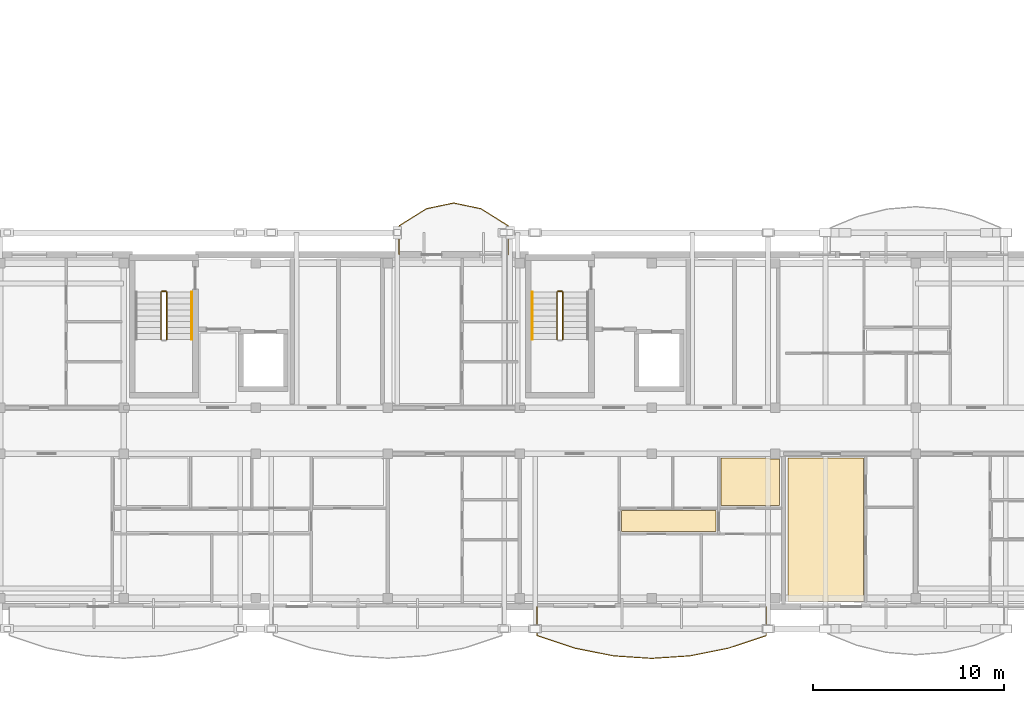
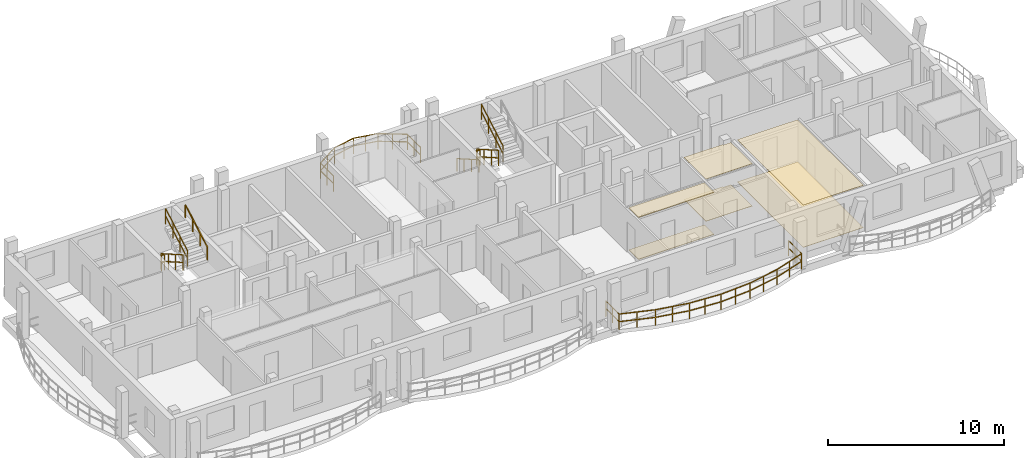
# One storey, part 36 of 44: 10 railings, 6 coverings.
"""IFC4 building model written with IfcOpenShell, lengths in metres."""

import ifcopenshell
import ifcopenshell.guid

model = None  # the IFC model being written
_history = None  # IfcOwnerHistory: only IFC2X3 demands one
_inside = {}  # id of a spatial element -> (the spatial element, [elements in it])
_under = {}  # id of a project, library or spatial element -> (it, [spatial elements below it])
_declared = {}  # id of a project -> (the project, [libraries it declares])
_typed = {}  # id of a type object -> (the type object, [elements of that type])
_made_of = {}  # id of a material, layer set ... -> (it, [elements and type objects made of it])


def new_model(schema):
    """Start an empty IFC model of exactly this schema.

    Asked for "IFC4X3", IfcOpenShell would pick the latest addendum, in which some entities
    have other attributes; the version numbers below select the first issue.
    IFC2X3 requires an IfcOwnerHistory on every rooted entity: one is made here for all.
    """
    global model, _history
    if schema == "IFC4X3":
        model = ifcopenshell.file(schema_version=(4, 3, 0, 0))
    else:
        model = ifcopenshell.file(schema=schema)
    _inside.clear()
    _under.clear()
    _declared.clear()
    _typed.clear()
    _made_of.clear()
    _history = None
    if model.schema == "IFC2X3":
        org = make("IfcOrganization", Name="unknown")
        user = make(
            "IfcPersonAndOrganization",
            ThePerson=make("IfcPerson", FamilyName="unknown"),
            TheOrganization=org,
        )
        app = make(
            "IfcApplication",
            ApplicationDeveloper=org,
            Version="unknown",
            ApplicationFullName="unknown",
            ApplicationIdentifier="unknown",
        )
        _history = make(
            "IfcOwnerHistory",
            OwningUser=user,
            OwningApplication=app,
            ChangeAction="ADDED",
            CreationDate=0,
        )
    return model


def make(cls, **values):
    """One entity of the class cls with the attributes given. An attribute that is None is left unset."""
    return model.create_entity(
        cls, **{name: value for name, value in values.items() if value is not None}
    )


def rooted(cls, **values):
    """An entity with a GlobalId (a new one), such as an element, a storey or a relation."""
    return make(cls, GlobalId=ifcopenshell.guid.new(), OwnerHistory=_history, **values)


def si_unit(unit_type, name, prefix=None):
    """IfcSIUnit, for example si_unit("LENGTHUNIT", "METRE", prefix="MILLI")."""
    return make("IfcSIUnit", UnitType=unit_type, Prefix=prefix, Name=name)


def assignment(units):
    """IfcUnitAssignment: the units of a project."""
    return None if units is None else make("IfcUnitAssignment", Units=units)


def point(xyz):
    """IfcCartesianPoint."""
    return None if xyz is None else make("IfcCartesianPoint", Coordinates=xyz)


def direction(xyz):
    """IfcDirection."""
    return None if xyz is None else make("IfcDirection", DirectionRatios=xyz)


def frame(location, z_axis=None, x_axis=None):
    """IfcAxis2Placement3D, a coordinate frame: its origin and axes. An axis left out is left unset."""
    return make(
        "IfcAxis2Placement3D",
        Location=point(location),
        Axis=direction(z_axis),
        RefDirection=direction(x_axis),
    )


def frame_2d(location, x_axis=None):
    """IfcAxis2Placement2D, a coordinate frame in the plane: its origin and x axis."""
    return make(
        "IfcAxis2Placement2D", Location=point(location), RefDirection=direction(x_axis)
    )


def origin():
    """The frame at (0, 0, 0) with its axes left unset."""
    return frame((0.0, 0.0, 0.0))


def origin_2d():
    """The frame at (0, 0) in the plane with its x axis left unset."""
    return frame_2d((0.0, 0.0))


def place(relative_to, where):
    """IfcLocalPlacement: puts the frame where relative to a parent placement (None: the world)."""
    return make(
        "IfcLocalPlacement", PlacementRelTo=relative_to, RelativePlacement=where
    )


def context(
    kind, dimensions, precision=None, world=None, true_north=None, identifier=None
):
    """IfcGeometricRepresentationContext, for example the 3D "Model" context."""
    return make(
        "IfcGeometricRepresentationContext",
        ContextIdentifier=identifier,
        ContextType=kind,
        CoordinateSpaceDimension=dimensions,
        Precision=precision,
        WorldCoordinateSystem=world,
        TrueNorth=true_north,
    )


def subcontext(parent, identifier, kind, view, scale=None):
    """IfcGeometricRepresentationSubContext, for example "Body" below "Model"."""
    return make(
        "IfcGeometricRepresentationSubContext",
        ContextIdentifier=identifier,
        ContextType=kind,
        ParentContext=parent,
        TargetScale=scale,
        TargetView=view,
    )


def project(units=None, contexts=None):
    """IfcProject with its units and contexts."""
    return rooted(
        "IfcProject",
        Name="project",
        RepresentationContexts=contexts,
        UnitsInContext=assignment(units),
    )


def spatial(cls, under=None, at=None, **own):
    """A site, building, storey or space (cls), placed at a placement, below another one or the project."""
    s = rooted(cls, ObjectPlacement=at, **own)
    if under is not None:
        _under.setdefault(under.id(), (under, []))[1].append(s)
    return s


def polyline(points):
    """IfcPolyline through the points."""
    return make("IfcPolyline", Points=[point(p) for p in points])


def profile(cls, at=None, kind="AREA", **sizes):
    """A parametric profile (cls). Its sizes go by their IFC names, for example OverallWidth=200.0."""
    return make(cls, ProfileType=kind, Position=at, **sizes)


def rectangle(**sizes):
    """IfcRectangleProfileDef."""
    return profile("IfcRectangleProfileDef", **sizes)


def outline(outer, holes=None, kind="AREA"):
    """IfcArbitraryClosedProfileDef: a profile drawn as a closed curve; with holes, ...WithVoids."""
    if holes is None:
        return make("IfcArbitraryClosedProfileDef", ProfileType=kind, OuterCurve=outer)
    return make(
        "IfcArbitraryProfileDefWithVoids",
        ProfileType=kind,
        OuterCurve=outer,
        InnerCurves=holes,
    )


def extrude(swept, where, along, depth):
    """IfcExtrudedAreaSolid: the profile swept, set in the frame where, extruded along a direction by depth."""
    return make(
        "IfcExtrudedAreaSolid",
        SweptArea=swept,
        Position=where,
        ExtrudedDirection=direction(along),
        Depth=depth,
    )


def shape(context_of_items, identifier, shape_type, items):
    """IfcShapeRepresentation: the items that make up one representation, for example the "Body"."""
    return make(
        "IfcShapeRepresentation",
        ContextOfItems=context_of_items,
        RepresentationIdentifier=identifier,
        RepresentationType=shape_type,
        Items=items,
    )


def material(Name=None, Category=None):
    """IfcMaterial."""
    return make("IfcMaterial", Name=Name, Category=Category)


def layer(
    of_material, thickness, ventilated=None, Name=None, Category=None, Priority=None
):
    """IfcMaterialLayer: one layer of a wall or slab, of a material (None: an air gap)."""
    return make(
        "IfcMaterialLayer",
        Material=of_material,
        LayerThickness=thickness,
        IsVentilated=ventilated,
        Name=Name,
        Category=Category,
        Priority=Priority,
    )


def layer_set(layers, Name=None):
    """IfcMaterialLayerSet."""
    return make("IfcMaterialLayerSet", MaterialLayers=layers, LayerSetName=Name)


def made_of(thing, what):
    """Note that an element or type object is made of a material, layer set ...; save() writes the relation."""
    if what is not None:
        _made_of.setdefault(what.id(), (what, []))[1].append(thing)
    return thing


def type_object(cls, material=None, **own):
    """A type object (cls), such as IfcWallType, which elements share."""
    return made_of(rooted(cls, **own), material)


def element(
    cls,
    number,
    at=None,
    inside=None,
    cuts=None,
    type_object=None,
    material=None,
    context=None,
    identifier="Body",
    shape_type=None,
    held_by="IfcProductDefinitionShape",
    body=None,
    shapes=None,
    **own,
):
    """One element of the class cls, such as IfcWall. Its Tag is "e" and its number.

    at: its placement. inside: the storey or other place that contains it. cuts: it is an
    opening in that element (IfcRelVoidsElement). A single representation is given by context,
    identifier, shape_type and body (its items); several are given by shapes. held_by: the class
    of the entity that holds the representations. save() writes the other relations.
    """
    e = rooted(cls, Tag="e%d" % number, ObjectPlacement=at, **own)
    if body is not None:
        shapes = [shape(context, identifier, shape_type, body)]
    if shapes is not None:
        e.Representation = make(held_by, Representations=shapes)
    if inside is not None:
        _inside.setdefault(inside.id(), (inside, []))[1].append(e)
    if cuts is not None:
        rooted(
            "IfcRelVoidsElement", RelatingBuildingElement=cuts, RelatedOpeningElement=e
        )
    if type_object is not None:
        _typed.setdefault(type_object.id(), (type_object, []))[1].append(e)
    return made_of(e, material)


def aggregate(whole, parts):
    """IfcRelAggregates: a whole, such as a stair, and the parts it consists of."""
    return rooted("IfcRelAggregates", RelatingObject=whole, RelatedObjects=parts)


def save(model, path):
    """Write the relations noted so far, then the file.

    IfcRelAggregates (storeys below a building ...), IfcRelContainedInSpatialStructure (elements
    in a storey), IfcRelDefinesByType, IfcRelAssociatesMaterial and IfcRelDeclares: one each for
    every whole, place, type object, material and project.
    """
    for whole, parts in _under.values():
        aggregate(whole, parts)
    for where, things in _inside.values():
        rooted(
            "IfcRelContainedInSpatialStructure",
            RelatedElements=things,
            RelatingStructure=where,
        )
    for kind, things in _typed.values():
        rooted("IfcRelDefinesByType", RelatedObjects=things, RelatingType=kind)
    for what, things in _made_of.values():
        rooted("IfcRelAssociatesMaterial", RelatedObjects=things, RelatingMaterial=what)
    for by, libraries in _declared.values():
        rooted("IfcRelDeclares", RelatingContext=by, RelatedDefinitions=libraries)
    model.write(path)


model = new_model("IFC4")

# Units and contexts
model_context = context("Model", 3, precision=1e-05, world=origin(), true_north=direction((0.0, 1.0)))
body_context = subcontext(model_context, "Body", "Model", "MODEL_VIEW")
ifc_project = project(units=[si_unit("LENGTHUNIT", "METRE"), si_unit("AREAUNIT", "SQUARE_METRE"), si_unit("VOLUMEUNIT", "CUBIC_METRE"), si_unit("PLANEANGLEUNIT", "RADIAN"), si_unit("MASSUNIT", "GRAM", prefix="KILO")], contexts=[model_context])

# Site, building, storey
site_placement = place(None, origin())
site = spatial("IfcSite", under=ifc_project, at=site_placement, CompositionType="ELEMENT")
building_placement = place(site_placement, origin())
building = spatial("IfcBuilding", under=site, at=building_placement, Name="Zavelmont Quarter", CompositionType="ELEMENT")
storey_placement = place(building_placement, frame((0.0, 0.0, 20.800048828125)))
storey = spatial("IfcBuildingStorey", under=building, at=storey_placement, Name="L06", CompositionType="ELEMENT", Elevation=20.800048828125)

# Coverings
ifc_material_1 = material(Name="Perforated acoustic gypsum board")
ifc_layer_1 = layer(ifc_material_1, 0.02490234375)
ifc_layer_set_1 = layer_set([ifc_layer_1], Name="Perforated acoustic gypsum board")
covering_type_1 = type_object("IfcCoveringType", Name="CV-CL01", PredefinedType="CEILING", material=ifc_layer_set_1)
covering_1_placement = place(storey_placement, frame((0.0, 0.0, 2.925048828125)))
element("IfcCovering", 1, at=covering_1_placement, inside=storey, type_object=covering_type_1, Name="L06 Residents Study Lounge acoustic ceiling", PredefinedType="CEILING", context=body_context, shape_type="SweptSolid", body=[
    extrude(outline(polyline([(41.6298828125, 7.77001953125), (45.570068359375, 7.77001953125), (45.570068359375, 0.280029296875), (41.6298828125, 0.280029296875), (41.6298828125, 7.77001953125)])), origin(), (0.0, 0.0, 1.0), 0.02490234375),
])
ifc_material_2 = material(Name="Slatted European ash acoustic baffle ceiling")
ifc_layer_2 = layer(ifc_material_2, 0.0400390625)
ifc_layer_set_2 = layer_set([ifc_layer_2], Name="Slatted European ash acoustic baffle ceiling")
covering_type_2 = type_object("IfcCoveringType", Name="CV-CL02", PredefinedType="CEILING", material=ifc_layer_set_2)
covering_2_placement = place(storey_placement, frame((0.0, 0.0, 2.909912109375)))
element("IfcCovering", 2, at=covering_2_placement, inside=storey, type_object=covering_type_2, Name="L06 Apartment Hall acoustic ceiling", PredefinedType="CEILING", context=body_context, shape_type="SweptSolid", body=[
    extrude(outline(polyline([(32.929931640625, 5.02001953125), (37.8701171875, 5.02001953125), (37.8701171875, 3.929931640625), (32.929931640625, 3.929931640625), (32.929931640625, 5.02001953125)])), origin(), (0.0, 0.0, 1.0), 0.0400390625),
])
ifc_material_3 = material(Name="Moisture-resistant painted gypsum ceiling")
ifc_layer_3 = layer(ifc_material_3, 0.02001953125)
ifc_layer_set_3 = layer_set([ifc_layer_3], Name="Moisture-resistant painted gypsum ceiling")
covering_type_3 = type_object("IfcCoveringType", Name="CV-CL04", PredefinedType="CEILING", material=ifc_layer_set_3)
covering_3_placement = place(storey_placement, frame((0.0, 0.0, 2.929931640625)))
element("IfcCovering", 3, at=covering_3_placement, inside=storey, type_object=covering_type_3, Name="L06 Bathroom acoustic ceiling", PredefinedType="CEILING", context=body_context, shape_type="SweptSolid", body=[
    extrude(outline(polyline([(38.1298828125, 7.77001953125), (40.669921875, 7.77001953125), (40.669921875, 7.7099609375), (41.169921875, 7.7099609375), (41.169921875, 5.280029296875), (38.1298828125, 5.280029296875), (38.1298828125, 7.77001953125)])), origin(), (0.0, 0.0, 1.0), 0.02001953125),
])
ifc_material_4 = material(Name="Engineered European oak parquet")
ifc_layer_4 = layer(ifc_material_4, 0.02197265625)
ifc_layer_set_4 = layer_set([ifc_layer_4], Name="Engineered European oak parquet")
covering_type_4 = type_object("IfcCoveringType", Name="CV-FL01", PredefinedType="FLOORING", material=ifc_layer_set_4)
covering_4_placement = place(storey_placement, origin())
element("IfcCovering", 4, at=covering_4_placement, inside=storey, type_object=covering_type_4, Name="L06 Residents Study Lounge floor finish", PredefinedType="FLOORING", context=body_context, shape_type="SweptSolid", body=[
    extrude(outline(polyline([(41.6298828125, 7.77001953125), (45.570068359375, 7.77001953125), (45.570068359375, 0.280029296875), (41.6298828125, 0.280029296875), (41.6298828125, 7.77001953125)])), origin(), (0.0, 0.0, 1.0), 0.02197265625),
])
ifc_material_5 = material(Name="Honed Belgian bluestone tile", Category="masonry")
ifc_layer_5 = layer(ifc_material_5, 0.030029296875)
ifc_layer_set_5 = layer_set([ifc_layer_5], Name="Honed Belgian bluestone tile")
covering_type_5 = type_object("IfcCoveringType", Name="CV-FL02", PredefinedType="FLOORING", material=ifc_layer_set_5)
covering_5_placement = place(storey_placement, origin())
element("IfcCovering", 5, at=covering_5_placement, inside=storey, type_object=covering_type_5, Name="L06 Apartment Hall floor finish", PredefinedType="FLOORING", context=body_context, shape_type="SweptSolid", body=[
    extrude(outline(polyline([(32.929931640625, 5.02001953125), (37.8701171875, 5.02001953125), (37.8701171875, 3.929931640625), (32.929931640625, 3.929931640625), (32.929931640625, 5.02001953125)])), origin(), (0.0, 0.0, 1.0), 0.030029296875),
])
ifc_material_6 = material(Name="Slip-resistant porcelain tile")
ifc_layer_6 = layer(ifc_material_6, 0.02587890625)
ifc_layer_set_6 = layer_set([ifc_layer_6], Name="Slip-resistant porcelain tile")
covering_type_6 = type_object("IfcCoveringType", Name="CV-FL04", PredefinedType="FLOORING", material=ifc_layer_set_6)
covering_6_placement = place(storey_placement, origin())
element("IfcCovering", 6, at=covering_6_placement, inside=storey, type_object=covering_type_6, Name="L06 Bathroom floor finish", PredefinedType="FLOORING", context=body_context, shape_type="SweptSolid", body=[
    extrude(outline(polyline([(38.1298828125, 7.77001953125), (40.669921875, 7.77001953125), (40.669921875, 7.7099609375), (41.169921875, 7.7099609375), (41.169921875, 5.280029296875), (38.1298828125, 5.280029296875), (38.1298828125, 7.77001953125)])), origin(), (0.0, 0.0, 1.0), 0.02587890625),
])

# Railings
ifc_material_7 = material(Name="Powder-coated steel and tempered double safety glass", Category="steel")
railing_type_1 = type_object("IfcRailingType", Name="RL-BAL1", PredefinedType="BALUSTRADE", material=ifc_material_7)
railing_1_placement = place(storey_placement, frame((28.51220703125, -0.02001953125, 0.0)))
element("IfcRailing", 7, at=railing_1_placement, inside=storey, type_object=railing_type_1, Name="L06 Block A curved balcony guard RL-BAL1", PredefinedType="BALUSTRADE", context=body_context, shape_type="SweptSolid", body=[
    extrude(rectangle(XDim=0.048095703125, YDim=0.048095703125, at=origin_2d()), frame((0.0, 0.0, 1.076171875), z_axis=(0.0, -1.0, 0.0), x_axis=(1.0, 0.0, 0.0)), (0.0, 0.0, 1.0), 1.494873046875),
    extrude(rectangle(XDim=0.048095703125, YDim=0.048095703125, at=origin_2d()), frame((0.0, 0.0, 0.550048828125), z_axis=(0.0, -1.0, 0.0), x_axis=(1.0, 0.0, 0.0)), (0.0, 0.0, 1.0), 1.494873046875),
    extrude(rectangle(XDim=0.048095703125, YDim=0.048095703125, at=origin_2d()), frame((0.0, -1.494873046875, 1.076171875), z_axis=(0.949273842021, -0.314450588892, 0.0), x_axis=(0.314450588892, 0.949273842021, 0.0)), (0.0, 0.0, 1.0), 2.1025390625),
    extrude(rectangle(XDim=0.048095703125, YDim=0.048095703125, at=origin_2d()), frame((0.0, -1.494873046875, 0.550048828125), z_axis=(0.949273842021, -0.314450588892, 0.0), x_axis=(0.314450588892, 0.949273842021, 0.0)), (0.0, 0.0, 1.0), 2.1025390625),
    extrude(rectangle(XDim=0.048095703125, YDim=0.048095703125, at=origin_2d()), frame((1.995849609375, -2.156005859375, 1.076171875), z_axis=(0.980815281349, -0.194939436423, 0.0), x_axis=(0.194939436423, 0.980815281349, 0.0)), (0.0, 0.0, 1.0), 2.03515625),
    extrude(rectangle(XDim=0.048095703125, YDim=0.048095703125, at=origin_2d()), frame((1.995849609375, -2.156005859375, 0.550048828125), z_axis=(0.980815281349, -0.194939436423, 0.0), x_axis=(0.194939436423, 0.980815281349, 0.0)), (0.0, 0.0, 1.0), 2.03515625),
    extrude(rectangle(XDim=0.048095703125, YDim=0.048095703125, at=origin_2d()), frame((3.991943359375, -2.552734375, 1.076171875), z_axis=(0.997809394486, -0.066154457714, 0.0), x_axis=(0.066154457714, 0.997809394486, 0.0)), (0.0, 0.0, 1.0), 2.000244140625),
    extrude(rectangle(XDim=0.048095703125, YDim=0.048095703125, at=origin_2d()), frame((3.991943359375, -2.552734375, 0.550048828125), z_axis=(0.997809394486, -0.066154457714, 0.0), x_axis=(0.066154457714, 0.997809394486, 0.0)), (0.0, 0.0, 1.0), 2.000244140625),
    extrude(rectangle(XDim=0.048095703125, YDim=0.048095703125, at=origin_2d()), frame((5.98779296875, -2.68505859375, 1.076171875), z_axis=(0.997809394486, 0.066154457714, 0.0), x_axis=(-0.066154457714, 0.997809394486, 0.0)), (0.0, 0.0, 1.0), 2.000244140625),
    extrude(rectangle(XDim=0.048095703125, YDim=0.048095703125, at=origin_2d()), frame((5.98779296875, -2.68505859375, 0.550048828125), z_axis=(0.997809394486, 0.066154457714, 0.0), x_axis=(-0.066154457714, 0.997809394486, 0.0)), (0.0, 0.0, 1.0), 2.000244140625),
    extrude(rectangle(XDim=0.048095703125, YDim=0.048095703125, at=origin_2d()), frame((7.983642578125, -2.552734375, 1.076171875), z_axis=(0.980815281349, 0.194939436423, 0.0), x_axis=(-0.194939436423, 0.980815281349, 0.0)), (0.0, 0.0, 1.0), 2.03515625),
    extrude(rectangle(XDim=0.048095703125, YDim=0.048095703125, at=origin_2d()), frame((7.983642578125, -2.552734375, 0.550048828125), z_axis=(0.980815281349, 0.194939436423, 0.0), x_axis=(-0.194939436423, 0.980815281349, 0.0)), (0.0, 0.0, 1.0), 2.03515625),
    extrude(rectangle(XDim=0.048095703125, YDim=0.048095703125, at=origin_2d()), frame((9.979736328125, -2.156005859375, 1.076171875), z_axis=(0.949273842021, 0.314450588892, 0.0), x_axis=(-0.314450588892, 0.949273842021, 0.0)), (0.0, 0.0, 1.0), 2.1025390625),
    extrude(rectangle(XDim=0.048095703125, YDim=0.048095703125, at=origin_2d()), frame((9.979736328125, -2.156005859375, 0.550048828125), z_axis=(0.949273842021, 0.314450588892, 0.0), x_axis=(-0.314450588892, 0.949273842021, 0.0)), (0.0, 0.0, 1.0), 2.1025390625),
    extrude(rectangle(XDim=0.048095703125, YDim=0.048095703125, at=origin_2d()), frame((11.9755859375, -1.494873046875, 1.076171875), z_axis=(0.0, 1.0, 0.0), x_axis=(-1.0, 0.0, 0.0)), (0.0, 0.0, 1.0), 1.494873046875),
    extrude(rectangle(XDim=0.048095703125, YDim=0.048095703125, at=origin_2d()), frame((11.9755859375, -1.494873046875, 0.550048828125), z_axis=(0.0, 1.0, 0.0), x_axis=(-1.0, 0.0, 0.0)), (0.0, 0.0, 1.0), 1.494873046875),
    extrude(rectangle(XDim=0.0419921875, YDim=0.0419921875, at=origin_2d()), origin(), (0.0, 0.0, 1.0), 1.052001953125),
    extrude(rectangle(XDim=0.0419921875, YDim=0.0419921875, at=origin_2d()), frame((0.0, -0.74755859375, 0.0)), (0.0, 0.0, 1.0), 1.052001953125),
    extrude(rectangle(XDim=0.0419921875, YDim=0.0419921875, at=origin_2d()), frame((0.0, -1.494873046875, 0.0)), (0.0, 0.0, 1.0), 1.052001953125),
    extrude(rectangle(XDim=0.0419921875, YDim=0.0419921875, at=origin_2d()), frame((0.998046875, -1.825439453125, 0.0)), (0.0, 0.0, 1.0), 1.052001953125),
    extrude(rectangle(XDim=0.0419921875, YDim=0.0419921875, at=origin_2d()), frame((1.995849609375, -2.156005859375, 0.0)), (0.0, 0.0, 1.0), 1.052001953125),
    extrude(rectangle(XDim=0.0419921875, YDim=0.0419921875, at=origin_2d()), frame((2.993896484375, -2.3544921875, 0.0)), (0.0, 0.0, 1.0), 1.052001953125),
    extrude(rectangle(XDim=0.0419921875, YDim=0.0419921875, at=origin_2d()), frame((3.991943359375, -2.552734375, 0.0)), (0.0, 0.0, 1.0), 1.052001953125),
    extrude(rectangle(XDim=0.0419921875, YDim=0.0419921875, at=origin_2d()), frame((4.98974609375, -2.618896484375, 0.0)), (0.0, 0.0, 1.0), 1.052001953125),
    extrude(rectangle(XDim=0.0419921875, YDim=0.0419921875, at=origin_2d()), frame((5.98779296875, -2.68505859375, 0.0)), (0.0, 0.0, 1.0), 1.052001953125),
    extrude(rectangle(XDim=0.0419921875, YDim=0.0419921875, at=origin_2d()), frame((6.98583984375, -2.618896484375, 0.0)), (0.0, 0.0, 1.0), 1.052001953125),
    extrude(rectangle(XDim=0.0419921875, YDim=0.0419921875, at=origin_2d()), frame((7.983642578125, -2.552734375, 0.0)), (0.0, 0.0, 1.0), 1.052001953125),
    extrude(rectangle(XDim=0.0419921875, YDim=0.0419921875, at=origin_2d()), frame((8.981689453125, -2.3544921875, 0.0)), (0.0, 0.0, 1.0), 1.052001953125),
    extrude(rectangle(XDim=0.0419921875, YDim=0.0419921875, at=origin_2d()), frame((9.979736328125, -2.156005859375, 0.0)), (0.0, 0.0, 1.0), 1.052001953125),
    extrude(rectangle(XDim=0.0419921875, YDim=0.0419921875, at=origin_2d()), frame((10.9775390625, -1.825439453125, 0.0)), (0.0, 0.0, 1.0), 1.052001953125),
    extrude(rectangle(XDim=0.0419921875, YDim=0.0419921875, at=origin_2d()), frame((11.9755859375, -1.494873046875, 0.0)), (0.0, 0.0, 1.0), 1.052001953125),
    extrude(rectangle(XDim=0.0419921875, YDim=0.0419921875, at=origin_2d()), frame((11.9755859375, -0.74755859375, 0.0)), (0.0, 0.0, 1.0), 1.052001953125),
    extrude(rectangle(XDim=0.0419921875, YDim=0.0419921875, at=origin_2d()), frame((11.9755859375, 0.0, 0.0)), (0.0, 0.0, 1.0), 1.052001953125),
])
railing_2_placement = place(storey_placement, frame((27.0, 18.419921875, 0.0)))
element("IfcRailing", 8, at=railing_2_placement, inside=storey, type_object=railing_type_1, Name="L06 Block A curved balcony guard RL-BAL1", PredefinedType="BALUSTRADE", context=body_context, shape_type="SweptSolid", body=[
    extrude(rectangle(XDim=0.048095703125, YDim=0.048095703125, at=origin_2d()), frame((0.0, 0.0, 1.076171875), z_axis=(0.0, 1.0, 0.0), x_axis=(-1.0, 0.0, 0.0)), (0.0, 0.0, 1.0), 1.494873046875),
    extrude(rectangle(XDim=0.048095703125, YDim=0.048095703125, at=origin_2d()), frame((0.0, 0.0, 0.550048828125), z_axis=(0.0, 1.0, 0.0), x_axis=(-1.0, 0.0, 0.0)), (0.0, 0.0, 1.0), 1.494873046875),
    extrude(rectangle(XDim=0.048095703125, YDim=0.048095703125, at=origin_2d()), frame((0.0, 1.494873046875, 1.076171875), z_axis=(-0.847484024623, 0.530820900124, 0.0), x_axis=(-0.530820900124, -0.847484024623, 0.0)), (0.0, 0.0, 1.0), 1.681396484375),
    extrude(rectangle(XDim=0.048095703125, YDim=0.048095703125, at=origin_2d()), frame((0.0, 1.494873046875, 0.550048828125), z_axis=(-0.847484024623, 0.530820900124, 0.0), x_axis=(-0.530820900124, -0.847484024623, 0.0)), (0.0, 0.0, 1.0), 1.681396484375),
    extrude(rectangle(XDim=0.048095703125, YDim=0.048095703125, at=origin_2d()), frame((-1.425048828125, 2.387451171875, 1.076171875), z_axis=(-0.97888124521, 0.204429713536, 0.0), x_axis=(-0.204429713536, -0.97888124521, 0.0)), (0.0, 0.0, 1.0), 1.455810546875),
    extrude(rectangle(XDim=0.048095703125, YDim=0.048095703125, at=origin_2d()), frame((-1.425048828125, 2.387451171875, 0.550048828125), z_axis=(-0.97888124521, 0.204429713536, 0.0), x_axis=(-0.204429713536, -0.97888124521, 0.0)), (0.0, 0.0, 1.0), 1.455810546875),
    extrude(rectangle(XDim=0.048095703125, YDim=0.048095703125, at=origin_2d()), frame((-2.85009765625, 2.68505859375, 1.076171875), z_axis=(-0.978874234931, -0.204463278338, 0.0), x_axis=(0.204463278338, -0.978874234931, 0.0)), (0.0, 0.0, 1.0), 1.45556640625),
    extrude(rectangle(XDim=0.048095703125, YDim=0.048095703125, at=origin_2d()), frame((-2.85009765625, 2.68505859375, 0.550048828125), z_axis=(-0.978874234931, -0.204463278338, 0.0), x_axis=(0.204463278338, -0.978874234931, 0.0)), (0.0, 0.0, 1.0), 1.45556640625),
    extrude(rectangle(XDim=0.048095703125, YDim=0.048095703125, at=origin_2d()), frame((-4.27490234375, 2.387451171875, 1.076171875), z_axis=(-0.847484024623, -0.530820900124, 0.0), x_axis=(0.530820900124, -0.847484024623, 0.0)), (0.0, 0.0, 1.0), 1.681396484375),
    extrude(rectangle(XDim=0.048095703125, YDim=0.048095703125, at=origin_2d()), frame((-4.27490234375, 2.387451171875, 0.550048828125), z_axis=(-0.847484024623, -0.530820900124, 0.0), x_axis=(0.530820900124, -0.847484024623, 0.0)), (0.0, 0.0, 1.0), 1.681396484375),
    extrude(rectangle(XDim=0.048095703125, YDim=0.048095703125, at=origin_2d()), frame((-5.699951171875, 1.494873046875, 1.076171875), z_axis=(0.0, -1.0, 0.0), x_axis=(1.0, 0.0, 0.0)), (0.0, 0.0, 1.0), 1.494873046875),
    extrude(rectangle(XDim=0.048095703125, YDim=0.048095703125, at=origin_2d()), frame((-5.699951171875, 1.494873046875, 0.550048828125), z_axis=(0.0, -1.0, 0.0), x_axis=(1.0, 0.0, 0.0)), (0.0, 0.0, 1.0), 1.494873046875),
    extrude(rectangle(XDim=0.0419921875, YDim=0.0419921875, at=origin_2d()), origin(), (0.0, 0.0, 1.0), 1.052001953125),
    extrude(rectangle(XDim=0.0419921875, YDim=0.0419921875, at=origin_2d()), frame((0.0, 0.74755859375, 0.0)), (0.0, 0.0, 1.0), 1.052001953125),
    extrude(rectangle(XDim=0.0419921875, YDim=0.0419921875, at=origin_2d()), frame((0.0, 1.494873046875, 0.0)), (0.0, 0.0, 1.0), 1.052001953125),
    extrude(rectangle(XDim=0.0419921875, YDim=0.0419921875, at=origin_2d()), frame((-0.71240234375, 1.941162109375, 0.0)), (0.0, 0.0, 1.0), 1.052001953125),
    extrude(rectangle(XDim=0.0419921875, YDim=0.0419921875, at=origin_2d()), frame((-1.425048828125, 2.387451171875, 0.0)), (0.0, 0.0, 1.0), 1.052001953125),
    extrude(rectangle(XDim=0.0419921875, YDim=0.0419921875, at=origin_2d()), frame((-2.1376953125, 2.5361328125, 0.0)), (0.0, 0.0, 1.0), 1.052001953125),
    extrude(rectangle(XDim=0.0419921875, YDim=0.0419921875, at=origin_2d()), frame((-2.85009765625, 2.68505859375, 0.0)), (0.0, 0.0, 1.0), 1.052001953125),
    extrude(rectangle(XDim=0.0419921875, YDim=0.0419921875, at=origin_2d()), frame((-3.5625, 2.5361328125, 0.0)), (0.0, 0.0, 1.0), 1.052001953125),
    extrude(rectangle(XDim=0.0419921875, YDim=0.0419921875, at=origin_2d()), frame((-4.27490234375, 2.387451171875, 0.0)), (0.0, 0.0, 1.0), 1.052001953125),
    extrude(rectangle(XDim=0.0419921875, YDim=0.0419921875, at=origin_2d()), frame((-4.9873046875, 1.941162109375, 0.0)), (0.0, 0.0, 1.0), 1.052001953125),
    extrude(rectangle(XDim=0.0419921875, YDim=0.0419921875, at=origin_2d()), frame((-5.699951171875, 1.494873046875, 0.0)), (0.0, 0.0, 1.0), 1.052001953125),
    extrude(rectangle(XDim=0.0419921875, YDim=0.0419921875, at=origin_2d()), frame((-5.699951171875, 0.74755859375, 0.0)), (0.0, 0.0, 1.0), 1.052001953125),
    extrude(rectangle(XDim=0.0419921875, YDim=0.0419921875, at=origin_2d()), frame((-5.699951171875, 0.0, 0.0)), (0.0, 0.0, 1.0), 1.052001953125),
])
ifc_material_8 = material(Name="Powder-coated steel stair guardrail", Category="steel")
railing_type_2 = type_object("IfcRailingType", Name="RL-GRD1", PredefinedType="GUARDRAIL", material=ifc_material_8)
railing_3_placement = place(storey_placement, frame((8.85009765625, 16.449951171875, 0.177734375)))
element("IfcRailing", 9, at=railing_3_placement, inside=storey, type_object=railing_type_2, Name="L06 ST01 stair guardrail 1", PredefinedType="GUARDRAIL", context=body_context, shape_type="SweptSolid", body=[
    extrude(rectangle(XDim=0.048095703125, YDim=0.048095703125, at=origin_2d()), frame((0.0, 0.0, 1.076171875), z_axis=(0.0, -0.867490628297, 0.497453525283), x_axis=(1.0, 0.0, 0.0)), (0.0, 0.0, 1.0), 2.85888671875),
    extrude(rectangle(XDim=0.048095703125, YDim=0.048095703125, at=origin_2d()), frame((0.0, 0.0, 0.550048828125), z_axis=(0.0, -0.867490628297, 0.497453525283), x_axis=(1.0, 0.0, 0.0)), (0.0, 0.0, 1.0), 2.85888671875),
    extrude(rectangle(XDim=0.0419921875, YDim=0.0419921875, at=origin_2d()), origin(), (0.0, 0.0, 1.0), 1.052001953125),
    extrude(rectangle(XDim=0.0419921875, YDim=0.0419921875, at=origin_2d()), frame((0.0, -0.82666015625, 0.47412109375)), (0.0, 0.0, 1.0), 1.052001953125),
    extrude(rectangle(XDim=0.0419921875, YDim=0.0419921875, at=origin_2d()), frame((0.0, -1.6533203125, 0.947998046875)), (0.0, 0.0, 1.0), 1.052001953125),
    extrude(rectangle(XDim=0.0419921875, YDim=0.0419921875, at=origin_2d()), frame((0.0, -2.47998046875, 1.422119140625)), (0.0, 0.0, 1.0), 1.052001953125),
])
railing_4_placement = place(storey_placement, frame((9.14990234375, 13.969970703125, 1.77783203125)))
element("IfcRailing", 10, at=railing_4_placement, inside=storey, type_object=railing_type_2, Name="L06 ST01 stair guardrail 3", PredefinedType="GUARDRAIL", context=body_context, shape_type="SweptSolid", body=[
    extrude(rectangle(XDim=0.048095703125, YDim=0.048095703125, at=origin_2d()), frame((0.0, 0.0, 1.076171875), z_axis=(0.0, 0.867490628297, 0.497453525283), x_axis=(-1.0, 0.0, 0.0)), (0.0, 0.0, 1.0), 2.85888671875),
    extrude(rectangle(XDim=0.048095703125, YDim=0.048095703125, at=origin_2d()), frame((0.0, 0.0, 0.550048828125), z_axis=(0.0, 0.867490628297, 0.497453525283), x_axis=(-1.0, 0.0, 0.0)), (0.0, 0.0, 1.0), 2.85888671875),
    extrude(rectangle(XDim=0.0419921875, YDim=0.0419921875, at=origin_2d()), origin(), (0.0, 0.0, 1.0), 1.052001953125),
    extrude(rectangle(XDim=0.0419921875, YDim=0.0419921875, at=origin_2d()), frame((0.0, 0.82666015625, 0.47412109375)), (0.0, 0.0, 1.0), 1.052001953125),
    extrude(rectangle(XDim=0.0419921875, YDim=0.0419921875, at=origin_2d()), frame((0.0, 1.6533203125, 0.947998046875)), (0.0, 0.0, 1.0), 1.052001953125),
    extrude(rectangle(XDim=0.0419921875, YDim=0.0419921875, at=origin_2d()), frame((0.0, 2.47998046875, 1.422119140625)), (0.0, 0.0, 1.0), 1.052001953125),
])
railing_5_placement = place(storey_placement, frame((8.89990234375, 16.5, 0.0)))
element("IfcRailing", 11, at=railing_5_placement, inside=storey, type_object=railing_type_2, Name="L06 ST01 stair guardrail 4", PredefinedType="GUARDRAIL", context=body_context, shape_type="SweptSolid", body=[
    extrude(rectangle(XDim=0.048095703125, YDim=0.048095703125, at=origin_2d()), frame((0.0, 0.0, 1.076171875), z_axis=(1.0, 0.0, 0.0), x_axis=(0.0, 1.0, 0.0)), (0.0, 0.0, 1.0), 0.2001953125),
    extrude(rectangle(XDim=0.048095703125, YDim=0.048095703125, at=origin_2d()), frame((0.0, 0.0, 0.550048828125), z_axis=(1.0, 0.0, 0.0), x_axis=(0.0, 1.0, 0.0)), (0.0, 0.0, 1.0), 0.2001953125),
    extrude(rectangle(XDim=0.0419921875, YDim=0.0419921875, at=origin_2d()), origin(), (0.0, 0.0, 1.0), 1.052001953125),
    extrude(rectangle(XDim=0.0419921875, YDim=0.0419921875, at=origin_2d()), frame((0.2001953125, 0.0, 0.0)), (0.0, 0.0, 1.0), 1.052001953125),
])
railing_6_placement = place(storey_placement, frame((29.550048828125, 16.449951171875, 0.177734375)))
element("IfcRailing", 12, at=railing_6_placement, inside=storey, type_object=railing_type_2, Name="L06 ST02 stair guardrail 1", PredefinedType="GUARDRAIL", context=body_context, shape_type="SweptSolid", body=[
    extrude(rectangle(XDim=0.048095703125, YDim=0.048095703125, at=origin_2d()), frame((0.0, 0.0, 1.076171875), z_axis=(0.0, -0.867490628297, 0.497453525283), x_axis=(1.0, 0.0, 0.0)), (0.0, 0.0, 1.0), 2.85888671875),
    extrude(rectangle(XDim=0.048095703125, YDim=0.048095703125, at=origin_2d()), frame((0.0, 0.0, 0.550048828125), z_axis=(0.0, -0.867490628297, 0.497453525283), x_axis=(1.0, 0.0, 0.0)), (0.0, 0.0, 1.0), 2.85888671875),
    extrude(rectangle(XDim=0.0419921875, YDim=0.0419921875, at=origin_2d()), origin(), (0.0, 0.0, 1.0), 1.052001953125),
    extrude(rectangle(XDim=0.0419921875, YDim=0.0419921875, at=origin_2d()), frame((0.0, -0.82666015625, 0.47412109375)), (0.0, 0.0, 1.0), 1.052001953125),
    extrude(rectangle(XDim=0.0419921875, YDim=0.0419921875, at=origin_2d()), frame((0.0, -1.6533203125, 0.947998046875)), (0.0, 0.0, 1.0), 1.052001953125),
    extrude(rectangle(XDim=0.0419921875, YDim=0.0419921875, at=origin_2d()), frame((0.0, -2.47998046875, 1.422119140625)), (0.0, 0.0, 1.0), 1.052001953125),
])
railing_7_placement = place(storey_placement, frame((29.85009765625, 13.969970703125, 1.77783203125)))
element("IfcRailing", 13, at=railing_7_placement, inside=storey, type_object=railing_type_2, Name="L06 ST02 stair guardrail 3", PredefinedType="GUARDRAIL", context=body_context, shape_type="SweptSolid", body=[
    extrude(rectangle(XDim=0.048095703125, YDim=0.048095703125, at=origin_2d()), frame((0.0, 0.0, 1.076171875), z_axis=(0.0, 0.867490628297, 0.497453525283), x_axis=(-1.0, 0.0, 0.0)), (0.0, 0.0, 1.0), 2.85888671875),
    extrude(rectangle(XDim=0.048095703125, YDim=0.048095703125, at=origin_2d()), frame((0.0, 0.0, 0.550048828125), z_axis=(0.0, 0.867490628297, 0.497453525283), x_axis=(-1.0, 0.0, 0.0)), (0.0, 0.0, 1.0), 2.85888671875),
    extrude(rectangle(XDim=0.0419921875, YDim=0.0419921875, at=origin_2d()), origin(), (0.0, 0.0, 1.0), 1.052001953125),
    extrude(rectangle(XDim=0.0419921875, YDim=0.0419921875, at=origin_2d()), frame((0.0, 0.82666015625, 0.47412109375)), (0.0, 0.0, 1.0), 1.052001953125),
    extrude(rectangle(XDim=0.0419921875, YDim=0.0419921875, at=origin_2d()), frame((0.0, 1.6533203125, 0.947998046875)), (0.0, 0.0, 1.0), 1.052001953125),
    extrude(rectangle(XDim=0.0419921875, YDim=0.0419921875, at=origin_2d()), frame((0.0, 2.47998046875, 1.422119140625)), (0.0, 0.0, 1.0), 1.052001953125),
])
railing_8_placement = place(storey_placement, frame((29.60009765625, 16.5, 0.0)))
element("IfcRailing", 14, at=railing_8_placement, inside=storey, type_object=railing_type_2, Name="L06 ST02 stair guardrail 4", PredefinedType="GUARDRAIL", context=body_context, shape_type="SweptSolid", body=[
    extrude(rectangle(XDim=0.048095703125, YDim=0.048095703125, at=origin_2d()), frame((0.0, 0.0, 1.076171875), z_axis=(1.0, 0.0, 0.0), x_axis=(0.0, 1.0, 0.0)), (0.0, 0.0, 1.0), 0.199951171875),
    extrude(rectangle(XDim=0.048095703125, YDim=0.048095703125, at=origin_2d()), frame((0.0, 0.0, 0.550048828125), z_axis=(1.0, 0.0, 0.0), x_axis=(0.0, 1.0, 0.0)), (0.0, 0.0, 1.0), 0.199951171875),
    extrude(rectangle(XDim=0.0419921875, YDim=0.0419921875, at=origin_2d()), origin(), (0.0, 0.0, 1.0), 1.052001953125),
    extrude(rectangle(XDim=0.0419921875, YDim=0.0419921875, at=origin_2d()), frame((0.199951171875, 0.0, 0.0)), (0.0, 0.0, 1.0), 1.052001953125),
])
ifc_material_9 = material(Name="Brushed stainless-steel wall handrail", Category="steel")
railing_type_3 = type_object("IfcRailingType", Name="RL-HND1", PredefinedType="HANDRAIL", material=ifc_material_9)
railing_9_placement = place(storey_placement, frame((10.449951171875, 13.969970703125, 1.77783203125)))
element("IfcRailing", 15, at=railing_9_placement, inside=storey, type_object=railing_type_3, Name="L06 ST01 stair handrail 2", PredefinedType="HANDRAIL", context=body_context, shape_type="SweptSolid", body=[
    extrude(rectangle(XDim=0.048095703125, YDim=0.048095703125, at=origin_2d()), frame((0.0, 0.0, 0.8759765625), z_axis=(0.0, 0.867490628297, 0.497453525283), x_axis=(-1.0, 0.0, 0.0)), (0.0, 0.0, 1.0), 2.85888671875),
    extrude(rectangle(XDim=0.0419921875, YDim=0.0419921875, at=origin_2d()), origin(), (0.0, 0.0, 1.0), 0.851806640625),
    extrude(rectangle(XDim=0.0419921875, YDim=0.0419921875, at=origin_2d()), frame((0.0, 0.82666015625, 0.47412109375)), (0.0, 0.0, 1.0), 0.851806640625),
    extrude(rectangle(XDim=0.0419921875, YDim=0.0419921875, at=origin_2d()), frame((0.0, 1.6533203125, 0.947998046875)), (0.0, 0.0, 1.0), 0.851806640625),
    extrude(rectangle(XDim=0.0419921875, YDim=0.0419921875, at=origin_2d()), frame((0.0, 2.47998046875, 1.422119140625)), (0.0, 0.0, 1.0), 0.851806640625),
])
railing_10_placement = place(storey_placement, frame((28.25, 16.449951171875, 0.177734375)))
element("IfcRailing", 16, at=railing_10_placement, inside=storey, type_object=railing_type_3, Name="L06 ST02 stair handrail 1", PredefinedType="HANDRAIL", context=body_context, shape_type="SweptSolid", body=[
    extrude(rectangle(XDim=0.048095703125, YDim=0.048095703125, at=origin_2d()), frame((0.0, 0.0, 0.8759765625), z_axis=(0.0, -0.867490628297, 0.497453525283), x_axis=(1.0, 0.0, 0.0)), (0.0, 0.0, 1.0), 2.85888671875),
    extrude(rectangle(XDim=0.0419921875, YDim=0.0419921875, at=origin_2d()), origin(), (0.0, 0.0, 1.0), 0.851806640625),
    extrude(rectangle(XDim=0.0419921875, YDim=0.0419921875, at=origin_2d()), frame((0.0, -0.82666015625, 0.47412109375)), (0.0, 0.0, 1.0), 0.851806640625),
    extrude(rectangle(XDim=0.0419921875, YDim=0.0419921875, at=origin_2d()), frame((0.0, -1.6533203125, 0.947998046875)), (0.0, 0.0, 1.0), 0.851806640625),
    extrude(rectangle(XDim=0.0419921875, YDim=0.0419921875, at=origin_2d()), frame((0.0, -2.47998046875, 1.422119140625)), (0.0, 0.0, 1.0), 0.851806640625),
])

save(model, "model.ifc")
